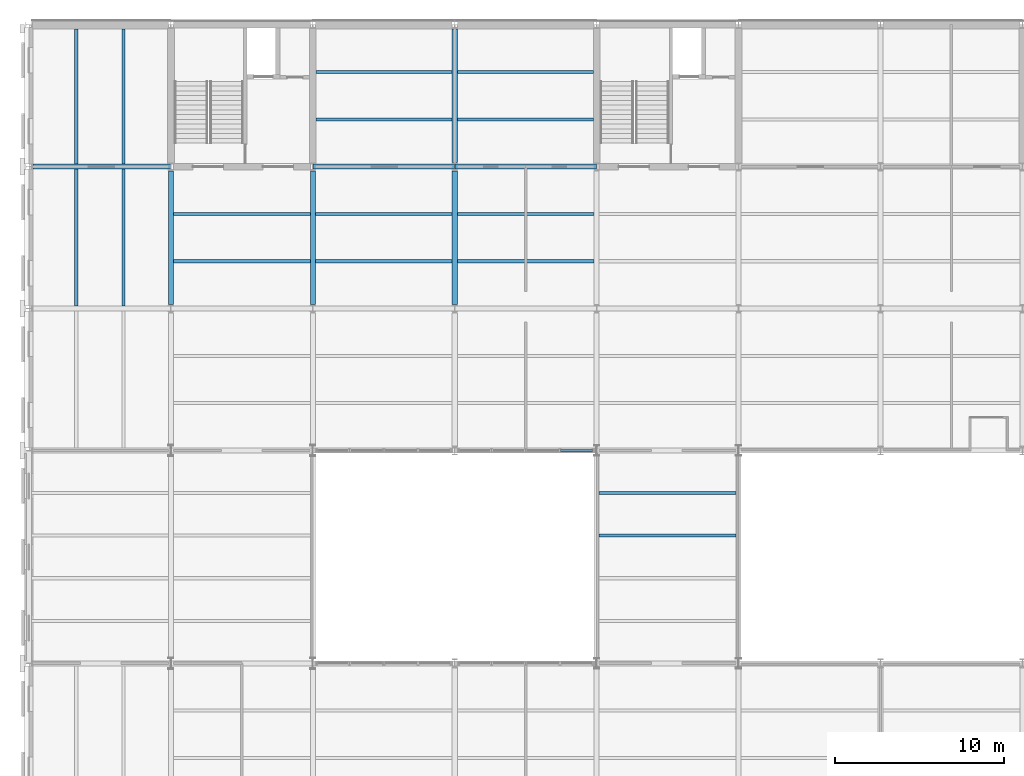
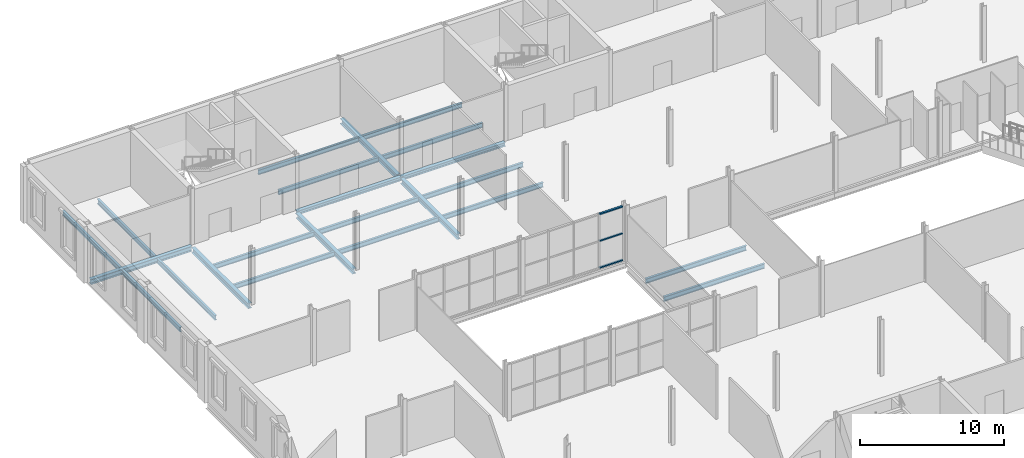
# One storey, part 15 of 52: 23 beams, 3 members, 1 element without a shape of its own.
"""IFC4 building model written with IfcOpenShell, lengths in metres."""

from ifc_helpers import new_model, si_unit, direction, frame, origin, origin_2d, place, context, subcontext, project, spatial, hollow_rectangle, i_section, extrude, material, layer, layer_set, material_profile, profile_set, type_object, element, aggregate, save


model = new_model("IFC4")

# Units and contexts
model_context = context("Model", 3, precision=1e-05, world=origin(), true_north=direction((0.0, 1.0)))
body_context = subcontext(model_context, "Body", "Model", "MODEL_VIEW")
ifc_project = project(units=[si_unit("LENGTHUNIT", "METRE"), si_unit("AREAUNIT", "SQUARE_METRE"), si_unit("VOLUMEUNIT", "CUBIC_METRE"), si_unit("PLANEANGLEUNIT", "RADIAN"), si_unit("MASSUNIT", "GRAM", prefix="KILO")], contexts=[model_context])

# Site, building, storey
site_placement = place(None, origin())
site = spatial("IfcSite", under=ifc_project, at=site_placement, CompositionType="ELEMENT")
building_placement = place(site_placement, origin())
building = spatial("IfcBuilding", under=site, at=building_placement, Name="Galleria Vessillo Department Store", CompositionType="ELEMENT")
storey_placement = place(building_placement, frame((0.0, 0.0, 16.199951171875)))
storey = spatial("IfcBuildingStorey", under=building, at=storey_placement, Name="L03", CompositionType="ELEMENT", Elevation=16.199951171875)

# Beams
ifc_material_1 = material(Name="Steel S355 J2", Category="steel")
ifc_material_profile_1 = material_profile(ifc_material_1, i_section(OverallWidth=0.300048828125, OverallDepth=0.43994140625, WebThickness=0.011474609375, FlangeThickness=0.02099609375, FilletRadius=0.027099609375, at=origin_2d()), Name="HEA 450")
ifc_profile_set_1 = profile_set([ifc_material_profile_1], Name="Steel S355 J2")
beam_type_1 = type_object("IfcBeamType", Name="Floor girder HEA 450", PredefinedType="BEAM", material=ifc_profile_set_1)
beam_placement = place(storey_placement, frame((0.250244140625, 54.60009765625, -0.369873046875), z_axis=(1.0, 0.0, 0.0), x_axis=(0.0, 1.0, 0.0)))
element("IfcBeam", 1, at=beam_placement, inside=storey, type_object=beam_type_1, Name="S-BM-L03-GI-x54600-250", PredefinedType="BEAM", context=body_context, shape_type="SweptSolid", body=[
    extrude(i_section(OverallWidth=0.300048828125, OverallDepth=0.43994140625, WebThickness=0.011474609375, FlangeThickness=0.02099609375, FilletRadius=0.027099609375, at=origin_2d()), origin(), (0.0, 0.0, 1.0), 8.142333984375),
])
for number, where, z_axis, x_axis, name in (
    (2, (8.39990234375, 46.4501953125, -0.369873046875), (0.0, 1.0, 0.0), (-1.0, 0.0, 0.0), "S-BM-L03-GI-y8400-46450"),
    (3, (16.800048828125, 46.4501953125, -0.369873046875), (0.0, 1.0, 0.0), (-1.0, 0.0, 0.0), "S-BM-L03-GI-y16800-46450"),
    (4, (25.199951171875, 46.4501953125, -0.369873046875), (0.0, 1.0, 0.0), (-1.0, 0.0, 0.0), "S-BM-L03-GI-y25200-46450"),
    (5, (25.199951171875, 54.85009765625, -0.369873046875), (0.0, 1.0, 0.0), (-1.0, 0.0, 0.0), "S-BM-L03-GI-y25200-54850"),
):
    element("IfcBeam", number, at=place(storey_placement, frame(where, z_axis=z_axis, x_axis=x_axis)), inside=storey, type_object=beam_type_1, Name=name, PredefinedType="BEAM", context=body_context, shape_type="SweptSolid", body=[
        extrude(i_section(OverallWidth=0.300048828125, OverallDepth=0.43994140625, WebThickness=0.011474609375, FlangeThickness=0.02099609375, FilletRadius=0.027099609375, at=origin_2d()), origin(), (0.0, 0.0, 1.0), 7.899658203125),
    ])
ifc_material_2 = material(Name="Steel S355 J2", Category="steel")
ifc_material_profile_2 = material_profile(ifc_material_2, i_section(OverallWidth=0.179931640625, OverallDepth=0.39990234375, WebThickness=0.008544921875, FlangeThickness=0.013427734375, FilletRadius=0.02099609375, at=origin_2d()), Name="IPE 400")
ifc_profile_set_2 = profile_set([ifc_material_profile_2], Name="Steel S355 J2")
beam_type_2 = type_object("IfcBeamType", Name="Floor joist IPE 400", PredefinedType="JOIST", material=ifc_profile_set_2)
for number, where, z_axis, x_axis, name in (
    (6, (2.800048828125, 46.35009765625, -0.349853515625), (0.0, 1.0, 0.0), (-1.0, 0.0, 0.0), "S-BM-L03-JO-y2800-46350"),
    (7, (5.60009765625, 46.35009765625, -0.349853515625), (0.0, 1.0, 0.0), (-1.0, 0.0, 0.0), "S-BM-L03-JO-y5600-46350"),
):
    element("IfcBeam", number, at=place(storey_placement, frame(where, z_axis=z_axis, x_axis=x_axis)), inside=storey, type_object=beam_type_2, Name=name, PredefinedType="JOIST", context=body_context, shape_type="SweptSolid", body=[
        extrude(i_section(OverallWidth=0.179931640625, OverallDepth=0.39990234375, WebThickness=0.008544921875, FlangeThickness=0.013427734375, FilletRadius=0.02099609375, at=origin_2d()), origin(), (0.0, 0.0, 1.0), 8.099853515625),
    ])
for number, where, z_axis, x_axis, name in (
    (8, (2.800048828125, 54.750244140625, -0.349853515625), (0.0, 1.0, 0.0), (-1.0, 0.0, 0.0), "S-BM-L03-JO-y2800-54750"),
    (9, (5.60009765625, 54.750244140625, -0.349853515625), (0.0, 1.0, 0.0), (-1.0, 0.0, 0.0), "S-BM-L03-JO-y5600-54750"),
):
    element("IfcBeam", number, at=place(storey_placement, frame(where, z_axis=z_axis, x_axis=x_axis)), inside=storey, type_object=beam_type_2, Name=name, PredefinedType="JOIST", context=body_context, shape_type="SweptSolid", body=[
        extrude(i_section(OverallWidth=0.179931640625, OverallDepth=0.39990234375, WebThickness=0.008544921875, FlangeThickness=0.013427734375, FilletRadius=0.02099609375, at=origin_2d()), origin(), (0.0, 0.0, 1.0), 7.99951171875),
    ])
for number, where, z_axis, x_axis, name in (
    (10, (8.550048828125, 49.0, -0.349853515625), (1.0, 0.0, 0.0), (0.0, 1.0, 0.0), "S-BM-L03-JO-x49000-8550"),
    (11, (8.550048828125, 51.800048828125, -0.349853515625), (1.0, 0.0, 0.0), (0.0, 1.0, 0.0), "S-BM-L03-JO-x51800-8550"),
):
    element("IfcBeam", number, at=place(storey_placement, frame(where, z_axis=z_axis, x_axis=x_axis)), inside=storey, type_object=beam_type_2, Name=name, PredefinedType="JOIST", context=body_context, shape_type="SweptSolid", body=[
        extrude(i_section(OverallWidth=0.179931640625, OverallDepth=0.39990234375, WebThickness=0.008544921875, FlangeThickness=0.013427734375, FilletRadius=0.02099609375, at=origin_2d()), origin(), (0.0, 0.0, 1.0), 8.099853515625),
    ])
for number, where, z_axis, x_axis, name in (
    (12, (16.9501953125, 49.0, -0.349853515625), (1.0, 0.0, 0.0), (0.0, 1.0, 0.0), "S-BM-L03-JO-x49000-16950"),
    (13, (16.9501953125, 51.800048828125, -0.349853515625), (1.0, 0.0, 0.0), (0.0, 1.0, 0.0), "S-BM-L03-JO-x51800-16950"),
):
    element("IfcBeam", number, at=place(storey_placement, frame(where, z_axis=z_axis, x_axis=x_axis)), inside=storey, type_object=beam_type_2, Name=name, PredefinedType="JOIST", context=body_context, shape_type="SweptSolid", body=[
        extrude(i_section(OverallWidth=0.179931640625, OverallDepth=0.39990234375, WebThickness=0.008544921875, FlangeThickness=0.013427734375, FilletRadius=0.02099609375, at=origin_2d()), origin(), (0.0, 0.0, 1.0), 8.099609375),
    ])
for number, where, z_axis, x_axis, name in (
    (14, (17.000244140625, 57.39990234375, -0.349853515625), (1.0, 0.0, 0.0), (0.0, 1.0, 0.0), "S-BM-L03-JO-x57400-17000"),
    (15, (17.000244140625, 60.199951171875, -0.349853515625), (1.0, 0.0, 0.0), (0.0, 1.0, 0.0), "S-BM-L03-JO-x60200-17000"),
):
    element("IfcBeam", number, at=place(storey_placement, frame(where, z_axis=z_axis, x_axis=x_axis)), inside=storey, type_object=beam_type_2, Name=name, PredefinedType="JOIST", context=body_context, shape_type="SweptSolid", body=[
        extrude(i_section(OverallWidth=0.179931640625, OverallDepth=0.39990234375, WebThickness=0.008544921875, FlangeThickness=0.013427734375, FilletRadius=0.02099609375, at=origin_2d()), origin(), (0.0, 0.0, 1.0), 8.049560546875),
    ])
for number, where, z_axis, x_axis, name in (
    (16, (25.35009765625, 49.0, -0.349853515625), (1.0, 0.0, 0.0), (0.0, 1.0, 0.0), "S-BM-L03-JO-x49000-25350"),
    (17, (25.35009765625, 51.800048828125, -0.349853515625), (1.0, 0.0, 0.0), (0.0, 1.0, 0.0), "S-BM-L03-JO-x51800-25350"),
):
    element("IfcBeam", number, at=place(storey_placement, frame(where, z_axis=z_axis, x_axis=x_axis)), inside=storey, type_object=beam_type_2, Name=name, PredefinedType="JOIST", context=body_context, shape_type="SweptSolid", body=[
        extrude(i_section(OverallWidth=0.179931640625, OverallDepth=0.39990234375, WebThickness=0.008544921875, FlangeThickness=0.013427734375, FilletRadius=0.02099609375, at=origin_2d()), origin(), (0.0, 0.0, 1.0), 8.099853515625),
    ])
for number, where, z_axis, x_axis, name in (
    (18, (25.35009765625, 57.39990234375, -0.349853515625), (1.0, 0.0, 0.0), (0.0, 1.0, 0.0), "S-BM-L03-JO-x57400-25350"),
    (19, (25.35009765625, 60.199951171875, -0.349853515625), (1.0, 0.0, 0.0), (0.0, 1.0, 0.0), "S-BM-L03-JO-x60200-25350"),
):
    element("IfcBeam", number, at=place(storey_placement, frame(where, z_axis=z_axis, x_axis=x_axis)), inside=storey, type_object=beam_type_2, Name=name, PredefinedType="JOIST", context=body_context, shape_type="SweptSolid", body=[
        extrude(i_section(OverallWidth=0.179931640625, OverallDepth=0.39990234375, WebThickness=0.008544921875, FlangeThickness=0.013427734375, FilletRadius=0.02099609375, at=origin_2d()), origin(), (0.0, 0.0, 1.0), 8.0498046875),
    ])
for number, where, z_axis, x_axis, name in (
    (20, (33.750244140625, 32.760009765625, -0.349853515625), (1.0, 0.0, 0.0), (0.0, 1.0, 0.0), "S-BM-L03-JO-x32760-33750"),
    (21, (33.750244140625, 35.280029296875, -0.349853515625), (1.0, 0.0, 0.0), (0.0, 1.0, 0.0), "S-BM-L03-JO-x35280-33750"),
):
    element("IfcBeam", number, at=place(storey_placement, frame(where, z_axis=z_axis, x_axis=x_axis)), inside=storey, type_object=beam_type_2, Name=name, PredefinedType="JOIST", context=body_context, shape_type="SweptSolid", body=[
        extrude(i_section(OverallWidth=0.179931640625, OverallDepth=0.39990234375, WebThickness=0.008544921875, FlangeThickness=0.013427734375, FilletRadius=0.02099609375, at=origin_2d()), origin(), (0.0, 0.0, 1.0), 8.099609375),
    ])
ifc_material_3 = material(Name="Steel S355 J2", Category="steel")
ifc_material_profile_3 = material_profile(ifc_material_3, i_section(OverallWidth=0.300048828125, OverallDepth=0.330078125, WebThickness=0.009521484375, FlangeThickness=0.0166015625, FilletRadius=0.027099609375, at=origin_2d()), Name="HEA 340")
ifc_profile_set_3 = profile_set([ifc_material_profile_3], Name="Steel S355 J2")
beam_type_3 = type_object("IfcBeamType", Name="Floor tie girder HEA 340", PredefinedType="BEAM", material=ifc_profile_set_3)
for number, where, z_axis, x_axis, name in (
    (22, (16.807373046875, 54.60009765625, -0.31494140625), (1.0, 0.0, 0.0), (0.0, 1.0, 0.0), "S-BM-L03-TI-x54600-16807"),
    (23, (25.207275390625, 54.60009765625, -0.31494140625), (1.0, 0.0, 0.0), (0.0, 1.0, 0.0), "S-BM-L03-TI-x54600-25207"),
):
    element("IfcBeam", number, at=place(storey_placement, frame(where, z_axis=z_axis, x_axis=x_axis)), inside=storey, type_object=beam_type_3, Name=name, PredefinedType="BEAM", context=body_context, shape_type="SweptSolid", body=[
        extrude(i_section(OverallWidth=0.300048828125, OverallDepth=0.330078125, WebThickness=0.009521484375, FlangeThickness=0.0166015625, FilletRadius=0.027099609375, at=origin_2d()), origin(), (0.0, 0.0, 1.0), 8.38525390625),
    ])

# Curtain wall, members
ifc_material_4 = material(Name="Steel and fire-resisting glass curtain wall", Category="steel")
ifc_layer = layer(ifc_material_4, 0.199951171875)
ifc_layer_set = layer_set([ifc_layer], Name="Steel and fire-resisting glass curtain wall")
curtain_wall_type = type_object("IfcCurtainWallType", Name="Arcade fire-resisting glazed shopfront EI 120-Sa", PredefinedType="NOTDEFINED", material=ifc_layer_set)
curtain_wall_placement = place(storey_placement, origin())
curtain_wall = element("IfcCurtainWall", 24, at=curtain_wall_placement, inside=storey, type_object=curtain_wall_type, Name="Arcade fire-resisting glazed shopfront EI 120-Sa AI-AW-N-L03-02", PredefinedType="NOTDEFINED")
ifc_material_5 = material(Name="Steel S355 J2", Category="steel")
ifc_material_profile_4 = material_profile(ifc_material_5, hollow_rectangle(XDim=0.14990234375, YDim=0.10009765625, WallThickness=0.008056640625, at=origin_2d()), Name="RHS 150x100x8")
ifc_profile_set_4 = profile_set([ifc_material_profile_4], Name="Steel S355 J2")
member_type = type_object("IfcMemberType", Name="Steel transom RHS 150x100x8", PredefinedType="USERDEFINED", material=ifc_profile_set_4)
member_1_placement = place(storey_placement, frame((31.473876953125, 37.800048828125, 0.050048828125), z_axis=(1.0, 0.0, 0.0), x_axis=(0.0, 1.0, 0.0)))
member_1 = element("IfcMember", 25, at=member_1_placement, type_object=member_type, Name="CW7 transom 4.1", ObjectType="TRANSOM", PredefinedType="USERDEFINED", context=body_context, shape_type="SweptSolid", body=[
    extrude(hollow_rectangle(XDim=0.14990234375, YDim=0.10009765625, WallThickness=0.008056640625, at=origin_2d()), origin(), (0.0, 0.0, 1.0), 1.87353515625),
])
member_2_placement = place(storey_placement, frame((31.473876953125, 37.800048828125, 2.324951171875), z_axis=(1.0, 0.0, 0.0), x_axis=(0.0, 1.0, 0.0)))
member_2 = element("IfcMember", 26, at=member_2_placement, type_object=member_type, Name="CW7 transom 4.2", ObjectType="TRANSOM", PredefinedType="USERDEFINED", context=body_context, shape_type="SweptSolid", body=[
    extrude(hollow_rectangle(XDim=0.14990234375, YDim=0.10009765625, WallThickness=0.008056640625, at=origin_2d()), origin(), (0.0, 0.0, 1.0), 1.87353515625),
])
member_3_placement = place(storey_placement, frame((31.473876953125, 37.800048828125, 4.60009765625), z_axis=(1.0, 0.0, 0.0), x_axis=(0.0, 1.0, 0.0)))
member_3 = element("IfcMember", 27, at=member_3_placement, type_object=member_type, Name="CW7 transom 4.3", ObjectType="TRANSOM", PredefinedType="USERDEFINED", context=body_context, shape_type="SweptSolid", body=[
    extrude(hollow_rectangle(XDim=0.14990234375, YDim=0.10009765625, WallThickness=0.008056640625, at=origin_2d()), origin(), (0.0, 0.0, 1.0), 1.87353515625),
])
aggregate(curtain_wall, [member_1, member_2, member_3])

save(model, "model.ifc")
